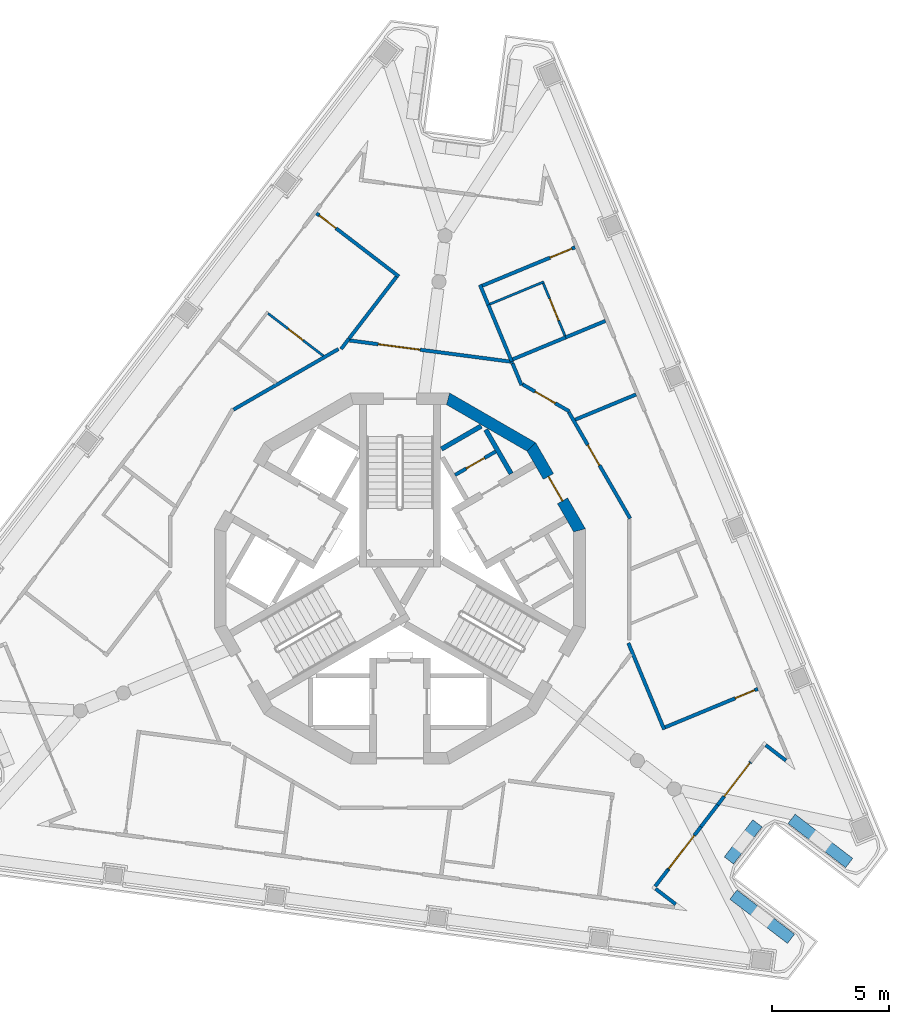
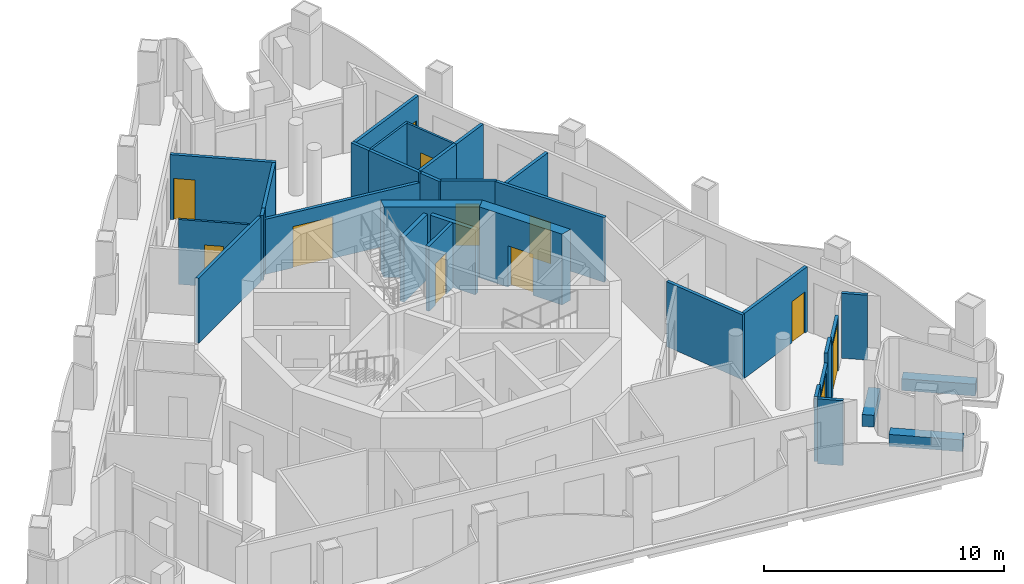
# One storey, part 5 of 12: 33 walls, 12 doors, 12 openings.
"""IFC4 building model written with IfcOpenShell, lengths in metres."""

from ifc_helpers import new_model, si_unit, direction, frame, frame_2d, origin, place, context, subcontext, project, spatial, polyline, rectangle, outline, extrude, material, layer, layer_set, type_object, element, fill, save


model = new_model("IFC4")

# Units and contexts
model_context = context("Model", 3, precision=1e-05, world=origin(), true_north=direction((0.0, 1.0)))
body_context = subcontext(model_context, "Body", "Model", "MODEL_VIEW")
ifc_project = project(units=[si_unit("LENGTHUNIT", "METRE"), si_unit("AREAUNIT", "SQUARE_METRE"), si_unit("VOLUMEUNIT", "CUBIC_METRE"), si_unit("PLANEANGLEUNIT", "RADIAN"), si_unit("MASSUNIT", "GRAM", prefix="KILO")], contexts=[model_context])

# Site, building, storey
site_placement = place(None, origin())
site = spatial("IfcSite", under=ifc_project, at=site_placement, CompositionType="ELEMENT")
building_placement = place(site_placement, origin())
building = spatial("IfcBuilding", under=site, at=building_placement, Name="Trine Commons Tower", CompositionType="ELEMENT")
storey_placement = place(building_placement, frame((0.0, 0.0, 293.39990234375)))
storey = spatial("IfcBuildingStorey", under=building, at=storey_placement, Name="L77", CompositionType="ELEMENT", Elevation=293.39990234375)

# Wall, opening, door
ifc_material_1 = material(Name="Plasterboard partition on steel studs", Category="steel")
ifc_layer_1 = layer(ifc_material_1, 0.14990234375)
ifc_layer_set_1 = layer_set([ifc_layer_1], Name="Plasterboard partition on steel studs")
wall_type_1 = type_object("IfcWallType", Name="Core room partition 150 mm, EI 60", PredefinedType="PARTITIONING", material=ifc_layer_set_1)
wall_1_placement = place(storey_placement, frame((82.35498046875, 66.919921875, 0.0), z_axis=(0.0, 0.0, 1.0), x_axis=(0.866010750942, 0.50002537861, 0.0)))
wall_1 = element("IfcWall", 1, at=wall_1_placement, inside=storey, type_object=wall_type_1, Name="Core room partition L77", PredefinedType="PARTITIONING", context=body_context, shape_type="SweptSolid", body=[
    extrude(rectangle(XDim=2.0, YDim=0.14990234375, at=frame_2d((1.0, 0.0))), origin(), (0.0, 0.0, 1.0), 3.300048828125),
])
opening_1_placement = place(wall_1_placement, frame((0.550537109375, 0.0, 0.0)))
opening_1 = element("IfcOpeningElement", 2, at=opening_1_placement, cuts=wall_1, Name="Opening K19.11", PredefinedType="OPENING", context=body_context, shape_type="SweptSolid", body=[
    extrude(rectangle(XDim=0.89990234375, YDim=2.10009765625, at=frame_2d((0.449951171875, 1.050048828125))), frame((0.0, 0.0849609375, 0.0), z_axis=(0.0, -1.0, 0.0), x_axis=(1.0, 0.0, 0.0)), (0.0, 0.0, 1.0), 0.169921875),
])
ifc_material_2 = material(Name="Steel door leaf, fire-rated", Category="steel")
door_type_1 = type_object("IfcDoorType", Name="Core room door, single leaf 900 x 2100, FD30S", OperationType="SINGLE_SWING_LEFT", PredefinedType="DOOR", material=ifc_material_2)
door_1_placement = place(opening_1_placement, origin())
door_1 = element("IfcDoor", 3, at=door_1_placement, inside=storey, type_object=door_type_1, Name="Door to Parcel store L77", OperationType="SINGLE_SWING_RIGHT", OverallHeight=2.10009765625, OverallWidth=0.89990234375, PredefinedType="DOOR", context=body_context, shape_type="SweptSolid", body=[
    extrude(rectangle(XDim=0.89990234375, YDim=2.10009765625, at=frame_2d((0.449951171875, 1.050048828125))), frame((0.0, 0.02490234375, 0.0), z_axis=(0.0, -1.0, 0.0), x_axis=(1.0, 0.0, 0.0)), (0.0, 0.0, 1.0), 0.050048828125),
])
fill(opening_1, door_1)

# Wall
ifc_material_3 = material(Name="Aluminium-framed insulated wall panel", Category="aluminium")
ifc_layer_2 = layer(ifc_material_3, 0.14990234375)
ifc_layer_set_2 = layer_set([ifc_layer_2], Name="Aluminium-framed insulated wall panel")
wall_type_2 = type_object("IfcWallType", Name="Glazed frame wall 150, EI 60", PredefinedType="SOLIDWALL", material=ifc_layer_set_2)
wall_2_placement = place(storey_placement, frame((96.600830078125, 54.633544921875, 0.0), z_axis=(0.0, 0.0, 1.0), x_axis=(-0.793352136239, 0.608762998157, 0.0)))
element("IfcWall", 4, at=wall_2_placement, inside=storey, type_object=wall_type_2, Name="Glazed frame wall R6", PredefinedType="SOLIDWALL", context=body_context, shape_type="SweptSolid", body=[
    extrude(outline(polyline([(0.1494140625, 0.074951171875), (0.1494140625, -0.074951171875), (1.235107421875, -0.074951171875), (1.235107421875, 0.074951171875), (0.1494140625, 0.074951171875)])), origin(), (0.0, 0.0, 1.0), 3.300048828125),
])

# Wall, opening, door
wall_3_placement = place(storey_placement, frame((94.97412109375, 54.665283203125, 0.0), z_axis=(0.0, 0.0, 1.0), x_axis=(-0.608821878019, -0.793306952475, 0.0)))
wall_3 = element("IfcWall", 5, at=wall_3_placement, inside=storey, type_object=wall_type_2, Name="Glazed frame wall P2.2", PredefinedType="SOLIDWALL", context=body_context, shape_type="SweptSolid", body=[
    extrude(outline(polyline([(0.0, -0.074951171875), (2.310791015625, -0.074951171875), (2.310791015625, 0.074951171875), (0.0, 0.074951171875), (0.0, -0.074951171875)])), origin(), (0.0, 0.0, 1.0), 2.800048828125),
])
opening_2_placement = place(wall_3_placement, frame((0.050048828125, 0.0, 0.0)))
opening_2 = element("IfcOpeningElement", 6, at=opening_2_placement, cuts=wall_3, Name="Opening BD-8P2-01", PredefinedType="OPENING", context=body_context, shape_type="SweptSolid", body=[
    extrude(rectangle(XDim=1.800048828125, YDim=2.60009765625, at=frame_2d((0.89990234375, 1.300048828125))), frame((0.0, 0.0849609375, 0.0), z_axis=(0.0, -1.0, 0.0), x_axis=(1.0, 0.0, 0.0)), (0.0, 0.0, 1.0), 0.169921875),
])
ifc_material_4 = material(Name="Anodised aluminium frame with double glazing", Category="aluminium")
door_type_2 = type_object("IfcDoorType", Name="Sliding loggia door 1800x2600", OperationType="SLIDING_TO_LEFT", PredefinedType="DOOR", material=ifc_material_4)
door_2_placement = place(opening_2_placement, origin())
door_2 = element("IfcDoor", 7, at=door_2_placement, inside=storey, type_object=door_type_2, Name="Loggia door P2 1", OperationType="SLIDING_TO_LEFT", OverallHeight=2.60009765625, OverallWidth=1.800048828125, PredefinedType="DOOR", context=body_context, shape_type="SweptSolid", body=[
    extrude(rectangle(XDim=1.800048828125, YDim=2.60009765625, at=frame_2d((0.89990234375, 1.300048828125))), frame((0.0, 0.02490234375, 0.0), z_axis=(0.0, -1.0, 0.0), x_axis=(1.0, 0.0, 0.0)), (0.0, 0.0, 1.0), 0.050048828125),
])
fill(opening_2, door_2)

# Wall
wall_4_placement = place(storey_placement, frame((93.5673828125, 52.832275390625, 0.0), z_axis=(0.0, 0.0, 1.0), x_axis=(-0.608779373124, -0.793339570965, 0.0)))
element("IfcWall", 8, at=wall_4_placement, inside=storey, type_object=wall_type_2, Name="Glazed frame wall P2.3", PredefinedType="SOLIDWALL", context=body_context, shape_type="SweptSolid", body=[
    extrude(outline(polyline([(0.0, -0.074951171875), (1.1787109375, -0.074951171875), (1.1787109375, 0.074951171875), (0.0, 0.074951171875), (0.0, -0.074951171875)])), origin(), (0.0, 0.0, 1.0), 3.300048828125),
])

# Wall, opening, door
wall_5_placement = place(storey_placement, frame((92.849853515625, 51.897216796875, 0.0), z_axis=(0.0, 0.0, 1.0), x_axis=(-0.608770848341, -0.793346112494, 0.0)))
wall_5 = element("IfcWall", 9, at=wall_5_placement, inside=storey, type_object=wall_type_2, Name="Glazed frame wall P2.4", PredefinedType="SOLIDWALL", context=body_context, shape_type="SweptSolid", body=[
    extrude(outline(polyline([(0.0, -0.074951171875), (2.310791015625, -0.074951171875), (2.310791015625, 0.074951171875), (0.0, 0.074951171875), (0.0, -0.074951171875)])), origin(), (0.0, 0.0, 1.0), 2.800048828125),
])
opening_3_placement = place(wall_5_placement, frame((0.460693359375, 0.0, 0.0)))
opening_3 = element("IfcOpeningElement", 10, at=opening_3_placement, cuts=wall_5, Name="Opening BD-8P2-02", PredefinedType="OPENING", context=body_context, shape_type="SweptSolid", body=[
    extrude(rectangle(XDim=1.800048828125, YDim=2.60009765625, at=frame_2d((0.89990234375, 1.300048828125))), frame((0.0, 0.0849609375, 0.0), z_axis=(0.0, -1.0, 0.0), x_axis=(1.0, 0.0, 0.0)), (0.0, 0.0, 1.0), 0.169921875),
])
door_3_placement = place(opening_3_placement, origin())
door_3 = element("IfcDoor", 11, at=door_3_placement, inside=storey, type_object=door_type_2, Name="Loggia door P2 2", OperationType="SLIDING_TO_LEFT", OverallHeight=2.60009765625, OverallWidth=1.800048828125, PredefinedType="DOOR", context=body_context, shape_type="SweptSolid", body=[
    extrude(rectangle(XDim=1.800048828125, YDim=2.60009765625, at=frame_2d((0.89990234375, 1.300048828125))), frame((0.0, 0.02490234375, 0.0), z_axis=(0.0, -1.0, 0.0), x_axis=(1.0, 0.0, 0.0)), (0.0, 0.0, 1.0), 0.050048828125),
])
fill(opening_3, door_3)

# Walls
wall_6_placement = place(storey_placement, frame((91.443115234375, 50.06396484375, 0.0), z_axis=(0.0, 0.0, 1.0), x_axis=(-0.60863653794, -0.793449156962, 0.0)))
element("IfcWall", 12, at=wall_6_placement, inside=storey, type_object=wall_type_2, Name="Glazed frame wall P2.5", PredefinedType="SOLIDWALL", context=body_context, shape_type="SweptSolid", body=[
    extrude(outline(polyline([(0.889892578125, 0.074951171875), (0.0, 0.074951171875), (0.0, -0.074951171875), (0.889892578125, -0.074951171875), (0.889892578125, 0.074951171875)])), origin(), (0.0, 0.0, 1.0), 3.300048828125),
])
wall_7_placement = place(storey_placement, frame((90.827880859375, 49.319580078125, 0.0), z_axis=(0.0, 0.0, 1.0), x_axis=(0.793439797287, -0.608648739488, 0.0)))
element("IfcWall", 13, at=wall_7_placement, inside=storey, type_object=wall_type_2, Name="Glazed frame wall R8", PredefinedType="SOLIDWALL", context=body_context, shape_type="SweptSolid", body=[
    extrude(outline(polyline([(0.110107421875, 0.074951171875), (0.110107421875, -0.074951171875), (1.19580078125, -0.074951171875), (1.19580078125, 0.074951171875), (0.110107421875, 0.074951171875)])), origin(), (0.0, 0.0, 1.0), 3.300048828125),
])
ifc_material_5 = material(Name="Planter trough, precast concrete C40/50", Category="concrete")
ifc_layer_3 = layer(ifc_material_5, 0.5)
ifc_layer_set_3 = layer_set([ifc_layer_3], Name="Planter trough, precast concrete C40/50")
wall_type_3 = type_object("IfcWallType", Name="Planter trough 500x600", PredefinedType="PARAPET", material=ifc_layer_set_3)
wall_8_placement = place(storey_placement, frame((99.182861328125, 50.351806640625, 0.0), z_axis=(0.0, 0.0, 1.0), x_axis=(-0.793355321014, 0.608758847671, 0.0)))
element("IfcWall", 14, at=wall_8_placement, inside=storey, type_object=wall_type_3, Name="Planter 7", PredefinedType="PARAPET", context=body_context, shape_type="SweptSolid", body=[
    extrude(rectangle(XDim=3.10009765625, YDim=0.5, at=frame_2d((1.550048828125, 0.0))), origin(), (0.0, 0.0, 1.0), 0.60009765625),
])
wall_9_placement = place(storey_placement, frame((95.265380859375, 52.047119140625, 0.0), z_axis=(0.0, 0.0, 1.0), x_axis=(-0.608790203715, -0.793331259853, 0.0)))
element("IfcWall", 15, at=wall_9_placement, inside=storey, type_object=wall_type_3, Name="Planter 8", PredefinedType="PARAPET", context=body_context, shape_type="SweptSolid", body=[
    extrude(rectangle(XDim=2.000244140625, YDim=0.5, at=frame_2d((1.0, 0.0))), origin(), (0.0, 0.0, 1.0), 0.60009765625),
])
wall_10_placement = place(storey_placement, frame((94.23974609375, 49.002197265625, 0.0), z_axis=(0.0, 0.0, 1.0), x_axis=(0.793355321014, -0.608758847671, 0.0)))
element("IfcWall", 16, at=wall_10_placement, inside=storey, type_object=wall_type_3, Name="Planter 9", PredefinedType="PARAPET", context=body_context, shape_type="SweptSolid", body=[
    extrude(rectangle(XDim=3.10009765625, YDim=0.5, at=frame_2d((1.550048828125, 0.0))), origin(), (0.0, 0.0, 1.0), 0.60009765625),
])

# Wall, opening, door
ifc_material_6 = material(Name="Concrete C50/60", Category="concrete")
ifc_layer_4 = layer(ifc_material_6, 0.5)
ifc_layer_set_4 = layer_set([ifc_layer_4], Name="Concrete C50/60")
wall_type_4 = type_object("IfcWallType", Name="RC shear wall 500 mm, C50/60", PredefinedType="SHEAR", material=ifc_layer_set_4)
wall_11_placement = place(storey_placement, frame((87.7041015625, 64.497314453125, 0.0), z_axis=(0.0, 0.0, 1.0), x_axis=(-0.499992968425, 0.866029463428, 0.0)))
wall_11 = element("IfcWall", 17, at=wall_11_placement, inside=storey, type_object=wall_type_4, Name="Core wall CWH-02 L77", PredefinedType="SHEAR", context=body_context, shape_type="SweptSolid", body=[
    extrude(outline(polyline([(0.0, -0.25), (4.24462890625, -0.25), (4.110595703125, 0.25), (0.134033203125, 0.25), (0.0, -0.25)])), origin(), (0.0, 0.0, 1.0), 3.60009765625),
])
opening_4_placement = place(wall_11_placement, frame((1.5224609375, 0.0, 0.0)))
opening_4 = element("IfcOpeningElement", 18, at=opening_4_placement, cuts=wall_11, Name="Opening K19.04", PredefinedType="OPENING", context=body_context, shape_type="SweptSolid", body=[
    extrude(rectangle(XDim=1.199951171875, YDim=2.10009765625, at=frame_2d((0.60009765625, 1.050048828125))), frame((0.0, 0.260009765625, 0.0), z_axis=(0.0, -1.0, 0.0), x_axis=(1.0, 0.0, 0.0)), (0.0, 0.0, 1.0), 0.52001953125),
])
ifc_material_7 = material(Name="Steel door leaves, fire-rated", Category="steel")
door_type_3 = type_object("IfcDoorType", Name="Lobby door, double leaf 1200 x 2100, FD60", OperationType="DOUBLE_DOOR_SINGLE_SWING", PredefinedType="DOOR", material=ifc_material_7)
door_4_placement = place(opening_4_placement, origin())
door_4 = element("IfcDoor", 19, at=door_4_placement, inside=storey, type_object=door_type_3, Name="Lobby door, Core lounge L77", OperationType="DOUBLE_DOOR_SINGLE_SWING", OverallHeight=2.10009765625, OverallWidth=1.199951171875, PredefinedType="DOOR", context=body_context, shape_type="SweptSolid", body=[
    extrude(rectangle(XDim=1.199951171875, YDim=2.10009765625, at=frame_2d((0.60009765625, 1.050048828125))), frame((0.0, 0.02490234375, 0.0), z_axis=(0.0, -1.0, 0.0), x_axis=(1.0, 0.0, 0.0)), (0.0, 0.0, 1.0), 0.050048828125),
])
fill(opening_4, door_4)

# Walls
wall_12_placement = place(storey_placement, frame((85.67333984375, 68.081787109375, 0.0), z_axis=(0.0, 0.0, 1.0), x_axis=(-0.866029463428, 0.499992968425, 0.0)))
element("IfcWall", 20, at=wall_12_placement, inside=storey, type_object=wall_type_4, Name="Core wall CWH-03 L77", PredefinedType="SHEAR", context=body_context, shape_type="SweptSolid", body=[
    extrude(outline(polyline([(0.0, -0.25), (4.24462890625, -0.25), (4.110595703125, 0.25), (0.134033203125, 0.25), (0.0, -0.25)])), origin(), (0.0, 0.0, 1.0), 3.60009765625),
])
ifc_material_8 = material(Name="Fire-rated gypsum shaft wall system")
ifc_layer_5 = layer(ifc_material_8, 0.199951171875)
ifc_layer_set_5 = layer_set([ifc_layer_5], Name="Fire-rated gypsum shaft wall system")
wall_type_5 = type_object("IfcWallType", Name="Shaft wall 200 mm, EI 120", PredefinedType="PARTITIONING", material=ifc_layer_set_5)
wall_13_placement = place(storey_placement, frame((81.77490234375, 68.028076171875, 0.0), z_axis=(0.0, 0.0, 1.0), x_axis=(0.866071410914, 0.499920304846, 0.0)))
element("IfcWall", 21, at=wall_13_placement, inside=storey, type_object=wall_type_5, Name="Shaft wall L77", PredefinedType="PARTITIONING", context=body_context, shape_type="SweptSolid", body=[
    extrude(rectangle(XDim=1.958251953125, YDim=0.199951171875, at=frame_2d((0.97900390625, 0.0))), origin(), (0.0, 0.0, 1.0), 3.300048828125),
])
wall_14_placement = place(storey_placement, frame((84.7490234375, 66.97412109375, 0.0), z_axis=(0.0, 0.0, 1.0), x_axis=(-0.500060114735, 0.865990693744, 0.0)))
element("IfcWall", 22, at=wall_14_placement, inside=storey, type_object=wall_type_5, Name="Shaft wall L77", PredefinedType="PARTITIONING", context=body_context, shape_type="SweptSolid", body=[
    extrude(rectangle(XDim=2.169677734375, YDim=0.199951171875, at=frame_2d((1.0849609375, 0.0))), origin(), (0.0, 0.0, 1.0), 3.300048828125),
])
ifc_material_9 = material(Name="Gypsum plasterboard on steel stud", Category="steel")
ifc_layer_6 = layer(ifc_material_9, 0.14990234375)
ifc_layer_set_6 = layer_set([ifc_layer_6], Name="Gypsum plasterboard on steel stud")
wall_type_6 = type_object("IfcWallType", Name="Unit and corridor wall 150 mm, EI 60", PredefinedType="PARTITIONING", material=ifc_layer_set_6)
wall_15_placement = place(storey_placement, frame((72.893798828125, 69.70849609375, 0.0), z_axis=(0.0, 0.0, 1.0), x_axis=(0.866010370781, 0.500026037022, 0.0)))
element("IfcWall", 23, at=wall_15_placement, inside=storey, type_object=wall_type_6, Name="Partition 017", PredefinedType="PARTITIONING", context=body_context, shape_type="SweptSolid", body=[
    extrude(rectangle(XDim=5.174560546875, YDim=0.14990234375, at=frame_2d((2.58740234375, 0.0))), origin(), (0.0, 0.0, 1.0), 3.300048828125),
])

# Wall, opening, door
wall_16_placement = place(storey_placement, frame((76.438720703125, 78.092529296875, 0.0), z_axis=(0.0, 0.0, 1.0), x_axis=(0.793339619552, -0.608779309807, 0.0)))
wall_16 = element("IfcWall", 24, at=wall_16_placement, inside=storey, type_object=wall_type_6, Name="Partition 026", PredefinedType="PARTITIONING", context=body_context, shape_type="SweptSolid", body=[
    extrude(rectangle(XDim=4.435546875, YDim=0.14990234375, at=frame_2d((2.2177734375, 0.0))), origin(), (0.0, 0.0, 1.0), 3.300048828125),
])
opening_5_placement = place(wall_16_placement, frame((0.14990234375, 0.0, 0.0)))
opening_5 = element("IfcOpeningElement", 25, at=opening_5_placement, cuts=wall_16, Name="Opening D-8C06", PredefinedType="OPENING", context=body_context, shape_type="SweptSolid", body=[
    extrude(rectangle(XDim=0.89990234375, YDim=2.10009765625, at=frame_2d((0.449951171875, 1.050048828125))), frame((0.0, 0.0849609375, 0.0), z_axis=(0.0, -1.0, 0.0), x_axis=(1.0, 0.0, 0.0)), (0.0, 0.0, 1.0), 0.169921875),
])
ifc_material_10 = material(Name="Timber fire door set", Category="wood")
door_type_4 = type_object("IfcDoorType", Name="Bedroom door 900 x 2100, FD30S", OperationType="NOTDEFINED", PredefinedType="DOOR", material=ifc_material_10)
door_5_placement = place(opening_5_placement, frame((0.89990234375, 0.0, 0.0), z_axis=(0.0, 0.0, 1.0), x_axis=(-1.0, 0.0, 0.0)))
door_5 = element("IfcDoor", 26, at=door_5_placement, inside=storey, type_object=door_type_4, Name="Door D-8C06", OperationType="SINGLE_SWING_RIGHT", OverallHeight=2.10009765625, OverallWidth=0.89990234375, PredefinedType="DOOR", context=body_context, shape_type="SweptSolid", body=[
    extrude(rectangle(XDim=0.89990234375, YDim=2.10009765625, at=frame_2d((0.449951171875, 1.050048828125))), frame((0.0, 0.02490234375, 0.0), z_axis=(0.0, -1.0, 0.0), x_axis=(1.0, 0.0, 0.0)), (0.0, 0.0, 1.0), 0.050048828125),
])
fill(opening_5, door_5)

# Wall
wall_17_placement = place(storey_placement, frame((77.487060546875, 72.2958984375, 0.0), z_axis=(0.0, 0.0, 1.0), x_axis=(0.608207837142, 0.793777819569, 0.0)))
element("IfcWall", 27, at=wall_17_placement, inside=storey, type_object=wall_type_6, Name="Partition 028", PredefinedType="PARTITIONING", context=body_context, shape_type="SweptSolid", body=[
    extrude(rectangle(XDim=0.550048828125, YDim=0.14990234375, at=frame_2d((0.27490234375, 0.0))), origin(), (0.0, 0.0, 1.0), 3.300048828125),
])

# Wall, opening, door
wall_18_placement = place(storey_placement, frame((77.850341796875, 72.6630859375, 0.0), z_axis=(0.0, 0.0, 1.0), x_axis=(0.991451590302, -0.130475070748, 0.0)))
wall_18 = element("IfcWall", 28, at=wall_18_placement, inside=storey, type_object=wall_type_6, Name="Partition 029", PredefinedType="PARTITIONING", context=body_context, shape_type="SweptSolid", body=[
    extrude(rectangle(XDim=7.0654296875, YDim=0.14990234375, at=frame_2d((3.53271484375, 0.0))), origin(), (0.0, 0.0, 1.0), 2.800048828125),
])
opening_6_placement = place(wall_18_placement, frame((1.236572265625, 0.0, 0.0)))
opening_6 = element("IfcOpeningElement", 29, at=opening_6_placement, cuts=wall_18, Name="Opening D-8C01", PredefinedType="OPENING", context=body_context, shape_type="SweptSolid", body=[
    extrude(rectangle(XDim=1.800048828125, YDim=2.10009765625, at=frame_2d((0.89990234375, 1.050048828125))), frame((0.0, 0.0849609375, 0.0), z_axis=(0.0, -1.0, 0.0), x_axis=(1.0, 0.0, 0.0)), (0.0, 0.0, 1.0), 0.169921875),
])
door_type_5 = type_object("IfcDoorType", Name="Cluster entrance door 1800 x 2100, double leaf, FD30S", OperationType="DOUBLE_DOOR_DOUBLE_SWING", PredefinedType="DOOR", material=ifc_material_10)
door_6_placement = place(opening_6_placement, origin())
door_6 = element("IfcDoor", 30, at=door_6_placement, inside=storey, type_object=door_type_5, Name="Door D-8C01", OperationType="DOUBLE_DOOR_DOUBLE_SWING", OverallHeight=2.10009765625, OverallWidth=1.800048828125, PredefinedType="DOOR", context=body_context, shape_type="SweptSolid", body=[
    extrude(rectangle(XDim=1.800048828125, YDim=2.10009765625, at=frame_2d((0.89990234375, 1.050048828125))), frame((0.0, 0.02490234375, 0.0), z_axis=(0.0, -1.0, 0.0), x_axis=(1.0, 0.0, 0.0)), (0.0, 0.0, 1.0), 0.050048828125),
])
fill(opening_6, door_6)

# Walls
wall_19_placement = place(storey_placement, frame((77.827880859375, 72.739990234375, 0.0), z_axis=(0.0, 0.0, 1.0), x_axis=(0.60873819793, 0.793371165585, 0.0)))
element("IfcWall", 31, at=wall_19_placement, inside=storey, type_object=wall_type_6, Name="Partition 030", PredefinedType="PARTITIONING", context=body_context, shape_type="SweptSolid", body=[
    extrude(rectangle(XDim=3.32568359375, YDim=0.14990234375, at=frame_2d((1.662841796875, 0.0))), origin(), (0.0, 0.0, 1.0), 3.300048828125),
])
wall_20_placement = place(storey_placement, frame((83.418212890625, 75.040283203125, 0.0), z_axis=(0.0, 0.0, 1.0), x_axis=(0.382452257319, -0.923975254469, 0.0)))
element("IfcWall", 32, at=wall_20_placement, inside=storey, type_object=wall_type_6, Name="Partition 034", PredefinedType="PARTITIONING", context=body_context, shape_type="SweptSolid", body=[
    extrude(rectangle(XDim=0.93017578125, YDim=0.14990234375, at=frame_2d((0.465087890625, 0.0))), origin(), (0.0, 0.0, 1.0), 3.300048828125),
])

# Wall, opening, door
wall_21_placement = place(storey_placement, frame((83.516357421875, 74.999755859375, 0.0), z_axis=(0.0, 0.0, 1.0), x_axis=(0.923868914467, 0.382709065586, 0.0)))
wall_21 = element("IfcWall", 33, at=wall_21_placement, inside=storey, type_object=wall_type_6, Name="Partition 035", PredefinedType="PARTITIONING", context=body_context, shape_type="SweptSolid", body=[
    extrude(rectangle(XDim=4.284912109375, YDim=0.14990234375, at=frame_2d((2.142578125, 0.0))), origin(), (0.0, 0.0, 1.0), 3.300048828125),
])
opening_7_placement = place(wall_21_placement, frame((3.135009765625, 0.0, 0.0)))
opening_7 = element("IfcOpeningElement", 34, at=opening_7_placement, cuts=wall_21, Name="Opening D-8C07", PredefinedType="OPENING", context=body_context, shape_type="SweptSolid", body=[
    extrude(rectangle(XDim=1.0, YDim=2.10009765625, at=frame_2d((0.5, 1.050048828125))), frame((0.0, 0.0849609375, 0.0), z_axis=(0.0, -1.0, 0.0), x_axis=(1.0, 0.0, 0.0)), (0.0, 0.0, 1.0), 0.169921875),
])
door_type_6 = type_object("IfcDoorType", Name="Bedroom door 1000 x 2100, FD30S", OperationType="NOTDEFINED", PredefinedType="DOOR", material=ifc_material_10)
door_7_placement = place(opening_7_placement, frame((1.0, 0.0, 0.0), z_axis=(0.0, 0.0, 1.0), x_axis=(-1.0, 0.0, 0.0)))
door_7 = element("IfcDoor", 35, at=door_7_placement, inside=storey, type_object=door_type_6, Name="Door D-8C07", OperationType="SINGLE_SWING_LEFT", OverallHeight=2.10009765625, OverallWidth=1.0, PredefinedType="DOOR", context=body_context, shape_type="SweptSolid", body=[
    extrude(rectangle(XDim=1.0, YDim=2.10009765625, at=frame_2d((0.5, 1.050048828125))), frame((0.0, 0.02490234375, 0.0), z_axis=(0.0, -1.0, 0.0), x_axis=(1.0, 0.0, 0.0)), (0.0, 0.0, 1.0), 0.050048828125),
])
fill(opening_7, door_7)

# Walls
wall_22_placement = place(storey_placement, frame((83.751953125, 74.234130859375, 0.0), z_axis=(0.0, 0.0, 1.0), x_axis=(0.382912582993, -0.923784581916, 0.0)))
element("IfcWall", 36, at=wall_22_placement, inside=storey, type_object=wall_type_6, Name="Partition 036", PredefinedType="PARTITIONING", context=body_context, shape_type="SweptSolid", body=[
    extrude(rectangle(XDim=2.678466796875, YDim=0.14990234375, at=frame_2d((1.33935546875, 0.0))), origin(), (0.0, 0.0, 1.0), 3.300048828125),
])
wall_23_placement = place(storey_placement, frame((84.818359375, 71.857666015625, 0.0), z_axis=(0.0, 0.0, 1.0), x_axis=(0.923910943395, 0.382607590979, 0.0)))
element("IfcWall", 37, at=wall_23_placement, inside=storey, type_object=wall_type_6, Name="Partition 040", PredefinedType="PARTITIONING", context=body_context, shape_type="SweptSolid", body=[
    extrude(rectangle(XDim=2.444580078125, YDim=0.14990234375, at=frame_2d((1.22216796875, 0.0))), origin(), (0.0, 0.0, 1.0), 3.300048828125),
])
wall_24_placement = place(storey_placement, frame((84.809814453125, 71.681640625, 0.0), z_axis=(0.0, 0.0, 1.0), x_axis=(0.382525049986, -0.923945120737, 0.0)))
element("IfcWall", 38, at=wall_24_placement, inside=storey, type_object=wall_type_6, Name="Partition 041", PredefinedType="PARTITIONING", context=body_context, shape_type="SweptSolid", body=[
    extrude(rectangle(XDim=0.99560546875, YDim=0.14990234375, at=frame_2d((0.497802734375, 0.0))), origin(), (0.0, 0.0, 1.0), 3.300048828125),
])

# Wall, opening, door
wall_25_placement = place(storey_placement, frame((85.22705078125, 70.79345703125, 0.0), z_axis=(0.0, 0.0, 1.0), x_axis=(0.866026103983, -0.499998787219, 0.0)))
wall_25 = element("IfcWall", 39, at=wall_25_placement, inside=storey, type_object=wall_type_6, Name="Partition 042", PredefinedType="PARTITIONING", context=body_context, shape_type="SweptSolid", body=[
    extrude(rectangle(XDim=2.31982421875, YDim=0.14990234375, at=frame_2d((1.159912109375, 0.0))), origin(), (0.0, 0.0, 1.0), 3.300048828125),
])
opening_8_placement = place(wall_25_placement, frame((0.62255859375, 0.0, 0.0)))
opening_8 = element("IfcOpeningElement", 40, at=opening_8_placement, cuts=wall_25, Name="Opening D-8C08", PredefinedType="OPENING", context=body_context, shape_type="SweptSolid", body=[
    extrude(rectangle(XDim=1.0, YDim=2.10009765625, at=frame_2d((0.5, 1.050048828125))), frame((0.0, 0.0849609375, 0.0), z_axis=(0.0, -1.0, 0.0), x_axis=(1.0, 0.0, 0.0)), (0.0, 0.0, 1.0), 0.169921875),
])
ifc_material_11 = material(Name="Painted timber", Category="wood")
door_type_7 = type_object("IfcDoorType", Name="Toilet door 1000 x 2100, NOT RATED", OperationType="NOTDEFINED", PredefinedType="DOOR", material=ifc_material_11)
door_8_placement = place(opening_8_placement, origin())
door_8 = element("IfcDoor", 41, at=door_8_placement, inside=storey, type_object=door_type_7, Name="Door D-8C08", OperationType="SINGLE_SWING_LEFT", OverallHeight=2.10009765625, OverallWidth=1.0, PredefinedType="DOOR", context=body_context, shape_type="SweptSolid", body=[
    extrude(rectangle(XDim=1.0, YDim=2.10009765625, at=frame_2d((0.5, 1.050048828125))), frame((0.0, 0.02490234375, 0.0), z_axis=(0.0, -1.0, 0.0), x_axis=(1.0, 0.0, 0.0)), (0.0, 0.0, 1.0), 0.050048828125),
])
fill(opening_8, door_8)

# Wall
wall_26_placement = place(storey_placement, frame((87.076904296875, 72.79296875, 0.0), z_axis=(0.0, 0.0, 1.0), x_axis=(0.923766150137, 0.38295704702, 0.0)))
element("IfcWall", 42, at=wall_26_placement, inside=storey, type_object=wall_type_6, Name="Partition 046", PredefinedType="PARTITIONING", context=body_context, shape_type="SweptSolid", body=[
    extrude(rectangle(XDim=1.840576171875, YDim=0.14990234375, at=frame_2d((0.92041015625, 0.0))), origin(), (0.0, 0.0, 1.0), 3.300048828125),
])

# Wall, opening, door
wall_27_placement = place(storey_placement, frame((87.20849609375, 69.606201171875, 0.0), z_axis=(0.0, 0.0, 1.0), x_axis=(0.500040482552, -0.866002029911, 0.0)))
wall_27 = element("IfcWall", 43, at=wall_27_placement, inside=storey, type_object=wall_type_6, Name="Partition 047", PredefinedType="PARTITIONING", context=body_context, shape_type="SweptSolid", body=[
    extrude(rectangle(XDim=5.24951171875, YDim=0.14990234375, at=frame_2d((2.624755859375, 0.0))), origin(), (0.0, 0.0, 1.0), 3.300048828125),
])
opening_9_placement = place(wall_27_placement, frame((1.62451171875, 0.0, 0.0)))
opening_9 = element("IfcOpeningElement", 44, at=opening_9_placement, cuts=wall_27, Name="Opening D-8C09", PredefinedType="OPENING", context=body_context, shape_type="SweptSolid", body=[
    extrude(rectangle(XDim=1.0, YDim=2.10009765625, at=frame_2d((0.5, 1.050048828125))), frame((0.0, 0.0849609375, 0.0), z_axis=(0.0, -1.0, 0.0), x_axis=(1.0, 0.0, 0.0)), (0.0, 0.0, 1.0), 0.169921875),
])
door_type_8 = type_object("IfcDoorType", Name="Amenity room door 1000 x 2100, NOT RATED", OperationType="NOTDEFINED", PredefinedType="DOOR", material=ifc_material_11)
door_9_placement = place(opening_9_placement, origin())
door_9 = element("IfcDoor", 45, at=door_9_placement, inside=storey, type_object=door_type_8, Name="Door D-8C09", OperationType="SINGLE_SWING_LEFT", OverallHeight=2.10009765625, OverallWidth=1.0, PredefinedType="DOOR", context=body_context, shape_type="SweptSolid", body=[
    extrude(rectangle(XDim=1.0, YDim=2.10009765625, at=frame_2d((0.5, 1.050048828125))), frame((0.0, 0.02490234375, 0.0), z_axis=(0.0, -1.0, 0.0), x_axis=(1.0, 0.0, 0.0)), (0.0, 0.0, 1.0), 0.050048828125),
])
fill(opening_9, door_9)

# Walls
wall_28_placement = place(storey_placement, frame((87.482421875, 69.27978515625, 0.0), z_axis=(0.0, 0.0, 1.0), x_axis=(0.923772104672, 0.382942683218, 0.0)))
element("IfcWall", 46, at=wall_28_placement, inside=storey, type_object=wall_type_6, Name="Partition 048", PredefinedType="PARTITIONING", context=body_context, shape_type="SweptSolid", body=[
    extrude(rectangle(XDim=2.8095703125, YDim=0.14990234375, at=frame_2d((1.40478515625, 0.0))), origin(), (0.0, 0.0, 1.0), 3.300048828125),
])
wall_29_placement = place(storey_placement, frame((89.7548828125, 59.742919921875, 0.0), z_axis=(0.0, 0.0, 1.0), x_axis=(0.382693412295, -0.923875398626, 0.0)))
element("IfcWall", 47, at=wall_29_placement, inside=storey, type_object=wall_type_6, Name="Partition 052", PredefinedType="PARTITIONING", context=body_context, shape_type="SweptSolid", body=[
    extrude(rectangle(XDim=3.997314453125, YDim=0.14990234375, at=frame_2d((1.99853515625, 0.0))), origin(), (0.0, 0.0, 1.0), 3.300048828125),
])

# Wall, opening, door
wall_30_placement = place(storey_placement, frame((91.3251953125, 56.147705078125, 0.0), z_axis=(0.0, 0.0, 1.0), x_axis=(0.923868914467, 0.382709065586, 0.0)))
wall_30 = element("IfcWall", 48, at=wall_30_placement, inside=storey, type_object=wall_type_6, Name="Partition 056", PredefinedType="PARTITIONING", context=body_context, shape_type="SweptSolid", body=[
    extrude(rectangle(XDim=4.284912109375, YDim=0.14990234375, at=frame_2d((2.142578125, 0.0))), origin(), (0.0, 0.0, 1.0), 3.300048828125),
])
opening_10_placement = place(wall_30_placement, frame((3.235107421875, 0.0, 0.0)))
opening_10 = element("IfcOpeningElement", 49, at=opening_10_placement, cuts=wall_30, Name="Opening D-8C10", PredefinedType="OPENING", context=body_context, shape_type="SweptSolid", body=[
    extrude(rectangle(XDim=0.89990234375, YDim=2.10009765625, at=frame_2d((0.449951171875, 1.050048828125))), frame((0.0, 0.0849609375, 0.0), z_axis=(0.0, -1.0, 0.0), x_axis=(1.0, 0.0, 0.0)), (0.0, 0.0, 1.0), 0.169921875),
])
door_10_placement = place(opening_10_placement, origin())
door_10 = element("IfcDoor", 50, at=door_10_placement, inside=storey, type_object=door_type_4, Name="Door D-8C10", OperationType="SINGLE_SWING_RIGHT", OverallHeight=2.10009765625, OverallWidth=0.89990234375, PredefinedType="DOOR", context=body_context, shape_type="SweptSolid", body=[
    extrude(rectangle(XDim=0.89990234375, YDim=2.10009765625, at=frame_2d((0.449951171875, 1.050048828125))), frame((0.0, 0.02490234375, 0.0), z_axis=(0.0, -1.0, 0.0), x_axis=(1.0, 0.0, 0.0)), (0.0, 0.0, 1.0), 0.050048828125),
])
fill(opening_10, door_10)

ifc_layer_7 = layer(ifc_material_9, 0.10009765625)
ifc_layer_set_7 = layer_set([ifc_layer_7], Name="Gypsum plasterboard on steel stud")
wall_type_7 = type_object("IfcWallType", Name="Unit partition 100 mm, no rating", PredefinedType="PARTITIONING", material=ifc_layer_set_7)
wall_31_placement = place(storey_placement, frame((74.36865234375, 73.817626953125, 0.0), z_axis=(0.0, 0.0, 1.0), x_axis=(0.793482352244, -0.608593260459, 0.0)))
wall_31 = element("IfcWall", 51, at=wall_31_placement, inside=storey, type_object=wall_type_7, Name="Partition 022", PredefinedType="PARTITIONING", context=body_context, shape_type="SweptSolid", body=[
    extrude(rectangle(XDim=2.97900390625, YDim=0.10009765625, at=frame_2d((1.489501953125, 0.0))), origin(), (0.0, 0.0, 1.0), 3.300048828125),
])
opening_11_placement = place(wall_31_placement, frame((1.089599609375, 0.0, 0.0)))
opening_11 = element("IfcOpeningElement", 52, at=opening_11_placement, cuts=wall_31, Name="Opening D-8C15", PredefinedType="OPENING", context=body_context, shape_type="SweptSolid", body=[
    extrude(rectangle(XDim=0.800048828125, YDim=2.10009765625, at=frame_2d((0.39990234375, 1.050048828125))), frame((0.0, 0.06005859375, 0.0), z_axis=(0.0, -1.0, 0.0), x_axis=(1.0, 0.0, 0.0)), (0.0, 0.0, 1.0), 0.1201171875),
])
door_type_9 = type_object("IfcDoorType", Name="Internal door 800 x 2100, NOT RATED", OperationType="NOTDEFINED", PredefinedType="DOOR", material=ifc_material_11)
door_11_placement = place(opening_11_placement, origin())
door_11 = element("IfcDoor", 53, at=door_11_placement, inside=storey, type_object=door_type_9, Name="Door D-8C15", OperationType="SINGLE_SWING_RIGHT", OverallHeight=2.10009765625, OverallWidth=0.800048828125, PredefinedType="DOOR", context=body_context, shape_type="SweptSolid", body=[
    extrude(rectangle(XDim=0.800048828125, YDim=2.10009765625, at=frame_2d((0.39990234375, 1.050048828125))), frame((0.0, 0.02490234375, 0.0), z_axis=(0.0, -1.0, 0.0), x_axis=(1.0, 0.0, 0.0)), (0.0, 0.0, 1.0), 0.050048828125),
])
fill(opening_11, door_11)

# Wall
wall_32_placement = place(storey_placement, frame((83.84228515625, 74.213623046875, 0.0), z_axis=(0.0, 0.0, 1.0), x_axis=(0.923899952916, 0.382634129425, 0.0)))
element("IfcWall", 54, at=wall_32_placement, inside=storey, type_object=wall_type_7, Name="Partition 037", PredefinedType="PARTITIONING", context=body_context, shape_type="SweptSolid", body=[
    extrude(rectangle(XDim=2.494873046875, YDim=0.10009765625, at=frame_2d((1.24755859375, 0.0))), origin(), (0.0, 0.0, 1.0), 3.300048828125),
])

# Wall, opening, door
wall_33_placement = place(storey_placement, frame((86.1201171875, 75.102783203125, 0.0), z_axis=(0.0, 0.0, 1.0), x_axis=(0.382748920082, -0.923852403891, 0.0)))
wall_33 = element("IfcWall", 55, at=wall_33_placement, inside=storey, type_object=wall_type_7, Name="Partition 044", PredefinedType="PARTITIONING", context=body_context, shape_type="SweptSolid", body=[
    extrude(rectangle(XDim=2.425048828125, YDim=0.10009765625, at=frame_2d((1.21240234375, 0.0))), origin(), (0.0, 0.0, 1.0), 3.300048828125),
])
opening_12_placement = place(wall_33_placement, frame((0.712646484375, 0.0, 0.0)))
opening_12 = element("IfcOpeningElement", 56, at=opening_12_placement, cuts=wall_33, Name="Opening D-8C16", PredefinedType="OPENING", context=body_context, shape_type="SweptSolid", body=[
    extrude(rectangle(XDim=1.0, YDim=2.10009765625, at=frame_2d((0.5, 1.050048828125))), frame((0.0, 0.06005859375, 0.0), z_axis=(0.0, -1.0, 0.0), x_axis=(1.0, 0.0, 0.0)), (0.0, 0.0, 1.0), 0.1201171875),
])
door_type_10 = type_object("IfcDoorType", Name="Internal door 1000 x 2100, NOT RATED", OperationType="NOTDEFINED", PredefinedType="DOOR", material=ifc_material_11)
door_12_placement = place(opening_12_placement, origin())
door_12 = element("IfcDoor", 57, at=door_12_placement, inside=storey, type_object=door_type_10, Name="Door D-8C16", OperationType="SINGLE_SWING_RIGHT", OverallHeight=2.10009765625, OverallWidth=1.0, PredefinedType="DOOR", context=body_context, shape_type="SweptSolid", body=[
    extrude(rectangle(XDim=1.0, YDim=2.10009765625, at=frame_2d((0.5, 1.050048828125))), frame((0.0, 0.02490234375, 0.0), z_axis=(0.0, -1.0, 0.0), x_axis=(1.0, 0.0, 0.0)), (0.0, 0.0, 1.0), 0.050048828125),
])
fill(opening_12, door_12)

save(model, "model.ifc")
